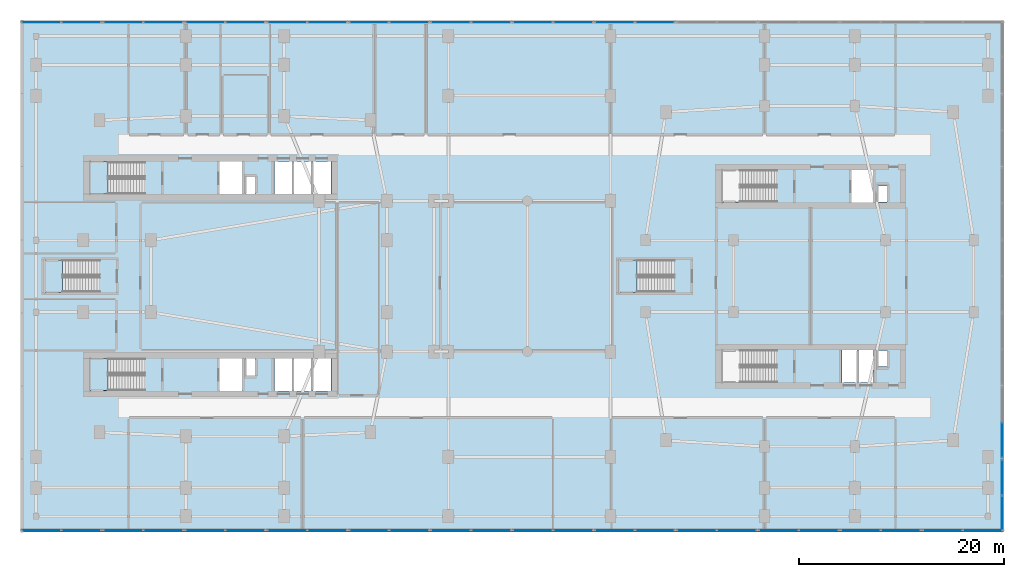
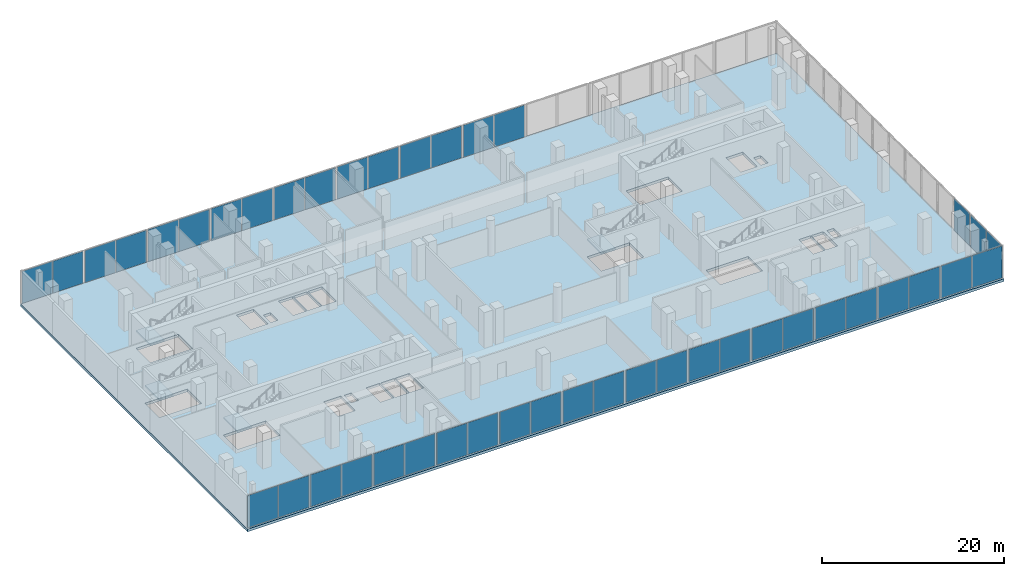
# One storey, part 11 of 23: 43 plates, 5 slabs, 26 elements without a shape of their own.
"""IFC4 building model written with IfcOpenShell, lengths in metres."""

from ifc_helpers import new_model, si_unit, derived_unit, direction, frame, origin, origin_2d, place, context, subcontext, project, spatial, polyline, rectangle, outline, extrude, material, layer, layer_set, type_object, element, aggregate, save


model = new_model("IFC4")

# Units and contexts
model_context = context("Model", 3, precision=1e-05, world=origin(), true_north=direction((0.0, 1.0)))
body_context = subcontext(model_context, "Body", "Model", "MODEL_VIEW")
ifc_project = project(units=[si_unit("LENGTHUNIT", "METRE"), si_unit("AREAUNIT", "SQUARE_METRE"), si_unit("VOLUMEUNIT", "CUBIC_METRE"), si_unit("PLANEANGLEUNIT", "RADIAN"), si_unit("MASSUNIT", "GRAM", prefix="KILO"), derived_unit("THERMALTRANSMITTANCEUNIT", [(si_unit("POWERUNIT", "WATT"), 1), (si_unit("LENGTHUNIT", "METRE"), -2), (si_unit("THERMODYNAMICTEMPERATUREUNIT", "KELVIN"), -1)])], contexts=[model_context])

# Site, building, storey
site_placement = place(None, origin())
site = spatial("IfcSite", under=ifc_project, at=site_placement, CompositionType="ELEMENT")
building_placement = place(site_placement, origin())
building = spatial("IfcBuilding", under=site, at=building_placement, Name="Kivonza Crest Hotel", CompositionType="ELEMENT")
storey_placement = place(building_placement, frame((0.0, 0.0, 5.39990234375)))
storey = spatial("IfcBuildingStorey", under=building, at=storey_placement, Name="L01", CompositionType="ELEMENT", Elevation=5.39990234375)

# Curtain wall, plates
ifc_material_1 = material(Name="Anodised bronze aluminium and low-E double glazing", Category="aluminium")
ifc_layer_1 = layer(ifc_material_1, 0.219970703125)
ifc_layer_set_1 = layer_set([ifc_layer_1], Name="Anodised bronze aluminium and low-E double glazing")
curtain_wall_type = type_object("IfcCurtainWallType", Name="CW-SYS-1", PredefinedType="NOTDEFINED", material=ifc_layer_set_1)
curtain_wall_1_placement = place(storey_placement, origin())
curtain_wall_1 = element("IfcCurtainWall", 1, at=curtain_wall_1_placement, inside=storey, type_object=curtain_wall_type, Name="L01 unitised curtain wall CW-POD-L01-01", PredefinedType="NOTDEFINED")
ifc_material_2 = material(Name="Acoustic triple-laminated low-E glazing", Category="glass")
ifc_layer_2 = layer(ifc_material_2, 0.035888671875)
ifc_layer_set_2 = layer_set([ifc_layer_2], Name="Acoustic triple-laminated low-E glazing")
plate_type = type_object("IfcPlateType", Name="CW-PNL-36", PredefinedType="CURTAIN_PANEL", material=ifc_layer_set_2)
plate_1_placement = place(storey_placement, frame((2.115478515625, 0.239990234375, 0.0751953125), z_axis=(0.0, 0.0, 1.0), x_axis=(1.0, 0.0, 0.0)))
plate_1 = element("IfcPlate", 2, at=plate_1_placement, type_object=plate_type, Name="CW-1 panel 1.1", PredefinedType="CURTAIN_PANEL", context=body_context, shape_type="SweptSolid", body=[
    extrude(rectangle(XDim=3.841064453125, YDim=0.035888671875, at=origin_2d()), origin(), (0.0, 0.0, 1.0), 4.300048828125),
])
plate_2_placement = place(storey_placement, frame((6.031494140625, 0.239990234375, 0.0751953125), z_axis=(0.0, 0.0, 1.0), x_axis=(1.0, 0.0, 0.0)))
plate_2 = element("IfcPlate", 3, at=plate_2_placement, type_object=plate_type, Name="CW-1 panel 2.1", PredefinedType="CURTAIN_PANEL", context=body_context, shape_type="SweptSolid", body=[
    extrude(rectangle(XDim=3.841064453125, YDim=0.035888671875, at=origin_2d()), origin(), (0.0, 0.0, 1.0), 4.300048828125),
])
aggregate(curtain_wall_1, [plate_1, plate_2])

curtain_wall_2_placement = place(storey_placement, origin())
curtain_wall_2 = element("IfcCurtainWall", 4, at=curtain_wall_2_placement, inside=storey, type_object=curtain_wall_type, Name="L01 unitised curtain wall CW-POD-L01-02", PredefinedType="NOTDEFINED")
plate_3_placement = place(storey_placement, frame((10.102294921875, 0.239990234375, 0.0751953125), z_axis=(0.0, 0.0, 1.0), x_axis=(1.0, 0.0, 0.0)))
plate_3 = element("IfcPlate", 5, at=plate_3_placement, type_object=plate_type, Name="CW-1 panel 1.1", PredefinedType="CURTAIN_PANEL", context=body_context, shape_type="SweptSolid", body=[
    extrude(rectangle(XDim=3.840576171875, YDim=0.035888671875, at=origin_2d()), origin(), (0.0, 0.0, 1.0), 4.300048828125),
])
plate_4_placement = place(storey_placement, frame((14.017822265625, 0.239990234375, 0.0751953125), z_axis=(0.0, 0.0, 1.0), x_axis=(1.0, 0.0, 0.0)))
plate_4 = element("IfcPlate", 6, at=plate_4_placement, type_object=plate_type, Name="CW-1 panel 2.1", PredefinedType="CURTAIN_PANEL", context=body_context, shape_type="SweptSolid", body=[
    extrude(rectangle(XDim=3.840576171875, YDim=0.035888671875, at=origin_2d()), origin(), (0.0, 0.0, 1.0), 4.300048828125),
])
aggregate(curtain_wall_2, [plate_3, plate_4])

curtain_wall_3_placement = place(storey_placement, origin())
curtain_wall_3 = element("IfcCurtainWall", 7, at=curtain_wall_3_placement, inside=storey, type_object=curtain_wall_type, Name="L01 unitised curtain wall CW-POD-L01-03", PredefinedType="NOTDEFINED")
plate_5_placement = place(storey_placement, frame((18.08837890625, 0.239990234375, 0.0751953125), z_axis=(0.0, 0.0, 1.0), x_axis=(1.0, 0.0, 0.0)))
plate_5 = element("IfcPlate", 8, at=plate_5_placement, type_object=plate_type, Name="CW-1 panel 1.1", PredefinedType="CURTAIN_PANEL", context=body_context, shape_type="SweptSolid", body=[
    extrude(rectangle(XDim=3.841064453125, YDim=0.035888671875, at=origin_2d()), origin(), (0.0, 0.0, 1.0), 4.300048828125),
])
plate_6_placement = place(storey_placement, frame((22.00439453125, 0.239990234375, 0.0751953125), z_axis=(0.0, 0.0, 1.0), x_axis=(1.0, 0.0, 0.0)))
plate_6 = element("IfcPlate", 9, at=plate_6_placement, type_object=plate_type, Name="CW-1 panel 2.1", PredefinedType="CURTAIN_PANEL", context=body_context, shape_type="SweptSolid", body=[
    extrude(rectangle(XDim=3.841064453125, YDim=0.035888671875, at=origin_2d()), origin(), (0.0, 0.0, 1.0), 4.300048828125),
])
aggregate(curtain_wall_3, [plate_5, plate_6])

curtain_wall_4_placement = place(storey_placement, origin())
curtain_wall_4 = element("IfcCurtainWall", 10, at=curtain_wall_4_placement, inside=storey, type_object=curtain_wall_type, Name="L01 unitised curtain wall CW-POD-L01-04", PredefinedType="NOTDEFINED")
plate_7_placement = place(storey_placement, frame((26.075439453125, 0.239990234375, 0.0751953125), z_axis=(0.0, 0.0, 1.0), x_axis=(1.0, 0.0, 0.0)))
plate_7 = element("IfcPlate", 11, at=plate_7_placement, type_object=plate_type, Name="CW-1 panel 1.1", PredefinedType="CURTAIN_PANEL", context=body_context, shape_type="SweptSolid", body=[
    extrude(rectangle(XDim=3.841064453125, YDim=0.035888671875, at=origin_2d()), origin(), (0.0, 0.0, 1.0), 4.300048828125),
])
plate_8_placement = place(storey_placement, frame((29.991455078125, 0.239990234375, 0.0751953125), z_axis=(0.0, 0.0, 1.0), x_axis=(1.0, 0.0, 0.0)))
plate_8 = element("IfcPlate", 12, at=plate_8_placement, type_object=plate_type, Name="CW-1 panel 2.1", PredefinedType="CURTAIN_PANEL", context=body_context, shape_type="SweptSolid", body=[
    extrude(rectangle(XDim=3.841064453125, YDim=0.035888671875, at=origin_2d()), origin(), (0.0, 0.0, 1.0), 4.300048828125),
])
aggregate(curtain_wall_4, [plate_7, plate_8])

curtain_wall_5_placement = place(storey_placement, origin())
curtain_wall_5 = element("IfcCurtainWall", 13, at=curtain_wall_5_placement, inside=storey, type_object=curtain_wall_type, Name="L01 unitised curtain wall CW-POD-L01-05", PredefinedType="NOTDEFINED")
plate_9_placement = place(storey_placement, frame((34.062255859375, 0.239990234375, 0.0751953125), z_axis=(0.0, 0.0, 1.0), x_axis=(1.0, 0.0, 0.0)))
plate_9 = element("IfcPlate", 14, at=plate_9_placement, type_object=plate_type, Name="CW-1 panel 1.1", PredefinedType="CURTAIN_PANEL", context=body_context, shape_type="SweptSolid", body=[
    extrude(rectangle(XDim=3.840576171875, YDim=0.035888671875, at=origin_2d()), origin(), (0.0, 0.0, 1.0), 4.300048828125),
])
plate_10_placement = place(storey_placement, frame((37.977783203125, 0.239990234375, 0.0751953125), z_axis=(0.0, 0.0, 1.0), x_axis=(1.0, 0.0, 0.0)))
plate_10 = element("IfcPlate", 15, at=plate_10_placement, type_object=plate_type, Name="CW-1 panel 2.1", PredefinedType="CURTAIN_PANEL", context=body_context, shape_type="SweptSolid", body=[
    extrude(rectangle(XDim=3.840576171875, YDim=0.035888671875, at=origin_2d()), origin(), (0.0, 0.0, 1.0), 4.300048828125),
])
aggregate(curtain_wall_5, [plate_9, plate_10])

curtain_wall_6_placement = place(storey_placement, origin())
curtain_wall_6 = element("IfcCurtainWall", 16, at=curtain_wall_6_placement, inside=storey, type_object=curtain_wall_type, Name="L01 unitised curtain wall CW-POD-L01-06", PredefinedType="NOTDEFINED")
plate_11_placement = place(storey_placement, frame((42.048583984375, 0.239990234375, 0.0751953125), z_axis=(0.0, 0.0, 1.0), x_axis=(1.0, 0.0, 0.0)))
plate_11 = element("IfcPlate", 17, at=plate_11_placement, type_object=plate_type, Name="CW-1 panel 1.1", PredefinedType="CURTAIN_PANEL", context=body_context, shape_type="SweptSolid", body=[
    extrude(rectangle(XDim=3.841064453125, YDim=0.035888671875, at=origin_2d()), origin(), (0.0, 0.0, 1.0), 4.300048828125),
])
plate_12_placement = place(storey_placement, frame((45.964599609375, 0.239990234375, 0.0751953125), z_axis=(0.0, 0.0, 1.0), x_axis=(1.0, 0.0, 0.0)))
plate_12 = element("IfcPlate", 18, at=plate_12_placement, type_object=plate_type, Name="CW-1 panel 2.1", PredefinedType="CURTAIN_PANEL", context=body_context, shape_type="SweptSolid", body=[
    extrude(rectangle(XDim=3.841064453125, YDim=0.035888671875, at=origin_2d()), origin(), (0.0, 0.0, 1.0), 4.300048828125),
])
aggregate(curtain_wall_6, [plate_11, plate_12])

curtain_wall_7_placement = place(storey_placement, origin())
curtain_wall_7 = element("IfcCurtainWall", 19, at=curtain_wall_7_placement, inside=storey, type_object=curtain_wall_type, Name="L01 unitised curtain wall CW-POD-L01-07", PredefinedType="NOTDEFINED")
plate_13_placement = place(storey_placement, frame((50.035400390625, 0.239990234375, 0.0751953125), z_axis=(0.0, 0.0, 1.0), x_axis=(1.0, 0.0, 0.0)))
plate_13 = element("IfcPlate", 20, at=plate_13_placement, type_object=plate_type, Name="CW-1 panel 1.1", PredefinedType="CURTAIN_PANEL", context=body_context, shape_type="SweptSolid", body=[
    extrude(rectangle(XDim=3.841064453125, YDim=0.035888671875, at=origin_2d()), origin(), (0.0, 0.0, 1.0), 4.300048828125),
])
plate_14_placement = place(storey_placement, frame((53.951416015625, 0.239990234375, 0.0751953125), z_axis=(0.0, 0.0, 1.0), x_axis=(1.0, 0.0, 0.0)))
plate_14 = element("IfcPlate", 21, at=plate_14_placement, type_object=plate_type, Name="CW-1 panel 2.1", PredefinedType="CURTAIN_PANEL", context=body_context, shape_type="SweptSolid", body=[
    extrude(rectangle(XDim=3.841064453125, YDim=0.035888671875, at=origin_2d()), origin(), (0.0, 0.0, 1.0), 4.300048828125),
])
aggregate(curtain_wall_7, [plate_13, plate_14])

curtain_wall_8_placement = place(storey_placement, origin())
curtain_wall_8 = element("IfcCurtainWall", 22, at=curtain_wall_8_placement, inside=storey, type_object=curtain_wall_type, Name="L01 unitised curtain wall CW-POD-L01-08", PredefinedType="NOTDEFINED")
plate_15_placement = place(storey_placement, frame((58.022216796875, 0.239990234375, 0.0751953125), z_axis=(0.0, 0.0, 1.0), x_axis=(1.0, 0.0, 0.0)))
plate_15 = element("IfcPlate", 23, at=plate_15_placement, type_object=plate_type, Name="CW-1 panel 1.1", PredefinedType="CURTAIN_PANEL", context=body_context, shape_type="SweptSolid", body=[
    extrude(rectangle(XDim=3.840576171875, YDim=0.035888671875, at=origin_2d()), origin(), (0.0, 0.0, 1.0), 4.300048828125),
])
plate_16_placement = place(storey_placement, frame((61.937744140625, 0.239990234375, 0.0751953125), z_axis=(0.0, 0.0, 1.0), x_axis=(1.0, 0.0, 0.0)))
plate_16 = element("IfcPlate", 24, at=plate_16_placement, type_object=plate_type, Name="CW-1 panel 2.1", PredefinedType="CURTAIN_PANEL", context=body_context, shape_type="SweptSolid", body=[
    extrude(rectangle(XDim=3.840576171875, YDim=0.035888671875, at=origin_2d()), origin(), (0.0, 0.0, 1.0), 4.300048828125),
])
aggregate(curtain_wall_8, [plate_15, plate_16])

curtain_wall_9_placement = place(storey_placement, origin())
curtain_wall_9 = element("IfcCurtainWall", 25, at=curtain_wall_9_placement, inside=storey, type_object=curtain_wall_type, Name="L01 unitised curtain wall CW-POD-L01-09", PredefinedType="NOTDEFINED")
plate_17_placement = place(storey_placement, frame((66.008544921875, 0.239990234375, 0.0751953125), z_axis=(0.0, 0.0, 1.0), x_axis=(1.0, 0.0, 0.0)))
plate_17 = element("IfcPlate", 26, at=plate_17_placement, type_object=plate_type, Name="CW-1 panel 1.1", PredefinedType="CURTAIN_PANEL", context=body_context, shape_type="SweptSolid", body=[
    extrude(rectangle(XDim=3.841064453125, YDim=0.035888671875, at=origin_2d()), origin(), (0.0, 0.0, 1.0), 4.300048828125),
])
plate_18_placement = place(storey_placement, frame((69.924560546875, 0.239990234375, 0.0751953125), z_axis=(0.0, 0.0, 1.0), x_axis=(1.0, 0.0, 0.0)))
plate_18 = element("IfcPlate", 27, at=plate_18_placement, type_object=plate_type, Name="CW-1 panel 2.1", PredefinedType="CURTAIN_PANEL", context=body_context, shape_type="SweptSolid", body=[
    extrude(rectangle(XDim=3.841064453125, YDim=0.035888671875, at=origin_2d()), origin(), (0.0, 0.0, 1.0), 4.300048828125),
])
aggregate(curtain_wall_9, [plate_17, plate_18])

curtain_wall_10_placement = place(storey_placement, origin())
curtain_wall_10 = element("IfcCurtainWall", 28, at=curtain_wall_10_placement, inside=storey, type_object=curtain_wall_type, Name="L01 unitised curtain wall CW-POD-L01-10", PredefinedType="NOTDEFINED")
plate_19_placement = place(storey_placement, frame((73.99560546875, 0.239990234375, 0.0751953125), z_axis=(0.0, 0.0, 1.0), x_axis=(1.0, 0.0, 0.0)))
plate_19 = element("IfcPlate", 29, at=plate_19_placement, type_object=plate_type, Name="CW-1 panel 1.1", PredefinedType="CURTAIN_PANEL", context=body_context, shape_type="SweptSolid", body=[
    extrude(rectangle(XDim=3.841064453125, YDim=0.035888671875, at=origin_2d()), origin(), (0.0, 0.0, 1.0), 4.300048828125),
])
plate_20_placement = place(storey_placement, frame((77.91162109375, 0.239990234375, 0.0751953125), z_axis=(0.0, 0.0, 1.0), x_axis=(1.0, 0.0, 0.0)))
plate_20 = element("IfcPlate", 30, at=plate_20_placement, type_object=plate_type, Name="CW-1 panel 2.1", PredefinedType="CURTAIN_PANEL", context=body_context, shape_type="SweptSolid", body=[
    extrude(rectangle(XDim=3.841064453125, YDim=0.035888671875, at=origin_2d()), origin(), (0.0, 0.0, 1.0), 4.300048828125),
])
aggregate(curtain_wall_10, [plate_19, plate_20])

curtain_wall_11_placement = place(storey_placement, origin())
curtain_wall_11 = element("IfcCurtainWall", 31, at=curtain_wall_11_placement, inside=storey, type_object=curtain_wall_type, Name="L01 unitised curtain wall CW-POD-L01-11", PredefinedType="NOTDEFINED")
plate_21_placement = place(storey_placement, frame((81.982177734375, 0.239990234375, 0.0751953125), z_axis=(0.0, 0.0, 1.0), x_axis=(1.0, 0.0, 0.0)))
plate_21 = element("IfcPlate", 32, at=plate_21_placement, type_object=plate_type, Name="CW-1 panel 1.1", PredefinedType="CURTAIN_PANEL", context=body_context, shape_type="SweptSolid", body=[
    extrude(rectangle(XDim=3.840576171875, YDim=0.035888671875, at=origin_2d()), origin(), (0.0, 0.0, 1.0), 4.300048828125),
])
plate_22_placement = place(storey_placement, frame((85.897705078125, 0.239990234375, 0.0751953125), z_axis=(0.0, 0.0, 1.0), x_axis=(1.0, 0.0, 0.0)))
plate_22 = element("IfcPlate", 33, at=plate_22_placement, type_object=plate_type, Name="CW-1 panel 2.1", PredefinedType="CURTAIN_PANEL", context=body_context, shape_type="SweptSolid", body=[
    extrude(rectangle(XDim=3.840576171875, YDim=0.035888671875, at=origin_2d()), origin(), (0.0, 0.0, 1.0), 4.300048828125),
])
aggregate(curtain_wall_11, [plate_21, plate_22])

curtain_wall_12_placement = place(storey_placement, origin())
curtain_wall_12 = element("IfcCurtainWall", 34, at=curtain_wall_12_placement, inside=storey, type_object=curtain_wall_type, Name="L01 unitised curtain wall CW-POD-L01-12", PredefinedType="NOTDEFINED")
plate_23_placement = place(storey_placement, frame((89.968505859375, 0.239990234375, 0.0751953125), z_axis=(0.0, 0.0, 1.0), x_axis=(1.0, 0.0, 0.0)))
plate_23 = element("IfcPlate", 35, at=plate_23_placement, type_object=plate_type, Name="CW-1 panel 1.1", PredefinedType="CURTAIN_PANEL", context=body_context, shape_type="SweptSolid", body=[
    extrude(rectangle(XDim=3.841064453125, YDim=0.035888671875, at=origin_2d()), origin(), (0.0, 0.0, 1.0), 4.300048828125),
])
plate_24_placement = place(storey_placement, frame((93.884521484375, 0.239990234375, 0.0751953125), z_axis=(0.0, 0.0, 1.0), x_axis=(1.0, 0.0, 0.0)))
plate_24 = element("IfcPlate", 36, at=plate_24_placement, type_object=plate_type, Name="CW-1 panel 2.1", PredefinedType="CURTAIN_PANEL", context=body_context, shape_type="SweptSolid", body=[
    extrude(rectangle(XDim=3.841064453125, YDim=0.035888671875, at=origin_2d()), origin(), (0.0, 0.0, 1.0), 4.300048828125),
])
aggregate(curtain_wall_12, [plate_23, plate_24])

curtain_wall_13_placement = place(storey_placement, origin())
curtain_wall_13 = element("IfcCurtainWall", 37, at=curtain_wall_13_placement, inside=storey, type_object=curtain_wall_type, Name="L01 unitised curtain wall CW-POD-L01-13", PredefinedType="NOTDEFINED")
plate_25_placement = place(storey_placement, frame((95.760009765625, 1.898681640625, 0.0751953125), z_axis=(0.0, 0.0, 1.0), x_axis=(0.0, 1.0, 0.0)))
plate_25 = element("IfcPlate", 38, at=plate_25_placement, type_object=plate_type, Name="CW-1 panel 1.1", PredefinedType="CURTAIN_PANEL", context=body_context, shape_type="SweptSolid", body=[
    extrude(rectangle(XDim=3.407470703125, YDim=0.035888671875, at=origin_2d()), origin(), (0.0, 0.0, 1.0), 4.300048828125),
])
plate_26_placement = place(storey_placement, frame((95.760009765625, 5.38134765625, 0.0751953125), z_axis=(0.0, 0.0, 1.0), x_axis=(0.0, 1.0, 0.0)))
plate_26 = element("IfcPlate", 39, at=plate_26_placement, type_object=plate_type, Name="CW-1 panel 2.1", PredefinedType="CURTAIN_PANEL", context=body_context, shape_type="SweptSolid", body=[
    extrude(rectangle(XDim=3.407470703125, YDim=0.035888671875, at=origin_2d()), origin(), (0.0, 0.0, 1.0), 4.300048828125),
])
aggregate(curtain_wall_13, [plate_25, plate_26])

# Curtain wall, plate
curtain_wall_14_placement = place(storey_placement, origin())
curtain_wall_14 = element("IfcCurtainWall", 40, at=curtain_wall_14_placement, inside=storey, type_object=curtain_wall_type, Name="L01 unitised curtain wall CW-POD-L01-14", PredefinedType="NOTDEFINED")
plate_27_placement = place(storey_placement, frame((95.760009765625, 9.018798828125, 0.0751953125), z_axis=(0.0, 0.0, 1.0), x_axis=(0.0, 1.0, 0.0)))
plate_27 = element("IfcPlate", 41, at=plate_27_placement, type_object=plate_type, Name="CW-1 panel 1.1", PredefinedType="CURTAIN_PANEL", context=body_context, shape_type="SweptSolid", body=[
    extrude(rectangle(XDim=3.407470703125, YDim=0.035888671875, at=origin_2d()), origin(), (0.0, 0.0, 1.0), 4.300048828125),
])
aggregate(curtain_wall_14, [plate_27])

# Curtain wall, plates
curtain_wall_15_placement = place(storey_placement, origin())
curtain_wall_15 = element("IfcCurtainWall", 42, at=curtain_wall_15_placement, inside=storey, type_object=curtain_wall_type, Name="L01 unitised curtain wall CW-POD-L01-24", PredefinedType="NOTDEFINED")
plate_28_placement = place(storey_placement, frame((61.937744140625, 49.760009765625, 0.0751953125), z_axis=(0.0, 0.0, 1.0), x_axis=(-1.0, 0.0, 0.0)))
plate_28 = element("IfcPlate", 43, at=plate_28_placement, type_object=plate_type, Name="CW-1 panel 1.1", PredefinedType="CURTAIN_PANEL", context=body_context, shape_type="SweptSolid", body=[
    extrude(rectangle(XDim=3.840576171875, YDim=0.035888671875, at=origin_2d()), origin(), (0.0, 0.0, 1.0), 4.300048828125),
])
plate_29_placement = place(storey_placement, frame((58.022216796875, 49.760009765625, 0.0751953125), z_axis=(0.0, 0.0, 1.0), x_axis=(-1.0, 0.0, 0.0)))
plate_29 = element("IfcPlate", 44, at=plate_29_placement, type_object=plate_type, Name="CW-1 panel 2.1", PredefinedType="CURTAIN_PANEL", context=body_context, shape_type="SweptSolid", body=[
    extrude(rectangle(XDim=3.840576171875, YDim=0.035888671875, at=origin_2d()), origin(), (0.0, 0.0, 1.0), 4.300048828125),
])
aggregate(curtain_wall_15, [plate_28, plate_29])

curtain_wall_16_placement = place(storey_placement, origin())
curtain_wall_16 = element("IfcCurtainWall", 45, at=curtain_wall_16_placement, inside=storey, type_object=curtain_wall_type, Name="L01 unitised curtain wall CW-POD-L01-25", PredefinedType="NOTDEFINED")
plate_30_placement = place(storey_placement, frame((53.951416015625, 49.760009765625, 0.0751953125), z_axis=(0.0, 0.0, 1.0), x_axis=(-1.0, 0.0, 0.0)))
plate_30 = element("IfcPlate", 46, at=plate_30_placement, type_object=plate_type, Name="CW-1 panel 1.1", PredefinedType="CURTAIN_PANEL", context=body_context, shape_type="SweptSolid", body=[
    extrude(rectangle(XDim=3.841064453125, YDim=0.035888671875, at=origin_2d()), origin(), (0.0, 0.0, 1.0), 4.300048828125),
])
plate_31_placement = place(storey_placement, frame((50.035400390625, 49.760009765625, 0.0751953125), z_axis=(0.0, 0.0, 1.0), x_axis=(-1.0, 0.0, 0.0)))
plate_31 = element("IfcPlate", 47, at=plate_31_placement, type_object=plate_type, Name="CW-1 panel 2.1", PredefinedType="CURTAIN_PANEL", context=body_context, shape_type="SweptSolid", body=[
    extrude(rectangle(XDim=3.841064453125, YDim=0.035888671875, at=origin_2d()), origin(), (0.0, 0.0, 1.0), 4.300048828125),
])
aggregate(curtain_wall_16, [plate_30, plate_31])

curtain_wall_17_placement = place(storey_placement, origin())
curtain_wall_17 = element("IfcCurtainWall", 48, at=curtain_wall_17_placement, inside=storey, type_object=curtain_wall_type, Name="L01 unitised curtain wall CW-POD-L01-26", PredefinedType="NOTDEFINED")
plate_32_placement = place(storey_placement, frame((45.964599609375, 49.760009765625, 0.0751953125), z_axis=(0.0, 0.0, 1.0), x_axis=(-1.0, 0.0, 0.0)))
plate_32 = element("IfcPlate", 49, at=plate_32_placement, type_object=plate_type, Name="CW-1 panel 1.1", PredefinedType="CURTAIN_PANEL", context=body_context, shape_type="SweptSolid", body=[
    extrude(rectangle(XDim=3.841064453125, YDim=0.035888671875, at=origin_2d()), origin(), (0.0, 0.0, 1.0), 4.300048828125),
])
plate_33_placement = place(storey_placement, frame((42.048583984375, 49.760009765625, 0.0751953125), z_axis=(0.0, 0.0, 1.0), x_axis=(-1.0, 0.0, 0.0)))
plate_33 = element("IfcPlate", 50, at=plate_33_placement, type_object=plate_type, Name="CW-1 panel 2.1", PredefinedType="CURTAIN_PANEL", context=body_context, shape_type="SweptSolid", body=[
    extrude(rectangle(XDim=3.841064453125, YDim=0.035888671875, at=origin_2d()), origin(), (0.0, 0.0, 1.0), 4.300048828125),
])
aggregate(curtain_wall_17, [plate_32, plate_33])

curtain_wall_18_placement = place(storey_placement, origin())
curtain_wall_18 = element("IfcCurtainWall", 51, at=curtain_wall_18_placement, inside=storey, type_object=curtain_wall_type, Name="L01 unitised curtain wall CW-POD-L01-27", PredefinedType="NOTDEFINED")
plate_34_placement = place(storey_placement, frame((37.977783203125, 49.760009765625, 0.0751953125), z_axis=(0.0, 0.0, 1.0), x_axis=(-1.0, 0.0, 0.0)))
plate_34 = element("IfcPlate", 52, at=plate_34_placement, type_object=plate_type, Name="CW-1 panel 1.1", PredefinedType="CURTAIN_PANEL", context=body_context, shape_type="SweptSolid", body=[
    extrude(rectangle(XDim=3.840576171875, YDim=0.035888671875, at=origin_2d()), origin(), (0.0, 0.0, 1.0), 4.300048828125),
])
plate_35_placement = place(storey_placement, frame((34.062255859375, 49.760009765625, 0.0751953125), z_axis=(0.0, 0.0, 1.0), x_axis=(-1.0, 0.0, 0.0)))
plate_35 = element("IfcPlate", 53, at=plate_35_placement, type_object=plate_type, Name="CW-1 panel 2.1", PredefinedType="CURTAIN_PANEL", context=body_context, shape_type="SweptSolid", body=[
    extrude(rectangle(XDim=3.840576171875, YDim=0.035888671875, at=origin_2d()), origin(), (0.0, 0.0, 1.0), 4.300048828125),
])
aggregate(curtain_wall_18, [plate_34, plate_35])

curtain_wall_19_placement = place(storey_placement, origin())
curtain_wall_19 = element("IfcCurtainWall", 54, at=curtain_wall_19_placement, inside=storey, type_object=curtain_wall_type, Name="L01 unitised curtain wall CW-POD-L01-28", PredefinedType="NOTDEFINED")
plate_36_placement = place(storey_placement, frame((29.991455078125, 49.760009765625, 0.0751953125), z_axis=(0.0, 0.0, 1.0), x_axis=(-1.0, 0.0, 0.0)))
plate_36 = element("IfcPlate", 55, at=plate_36_placement, type_object=plate_type, Name="CW-1 panel 1.1", PredefinedType="CURTAIN_PANEL", context=body_context, shape_type="SweptSolid", body=[
    extrude(rectangle(XDim=3.841064453125, YDim=0.035888671875, at=origin_2d()), origin(), (0.0, 0.0, 1.0), 4.300048828125),
])
plate_37_placement = place(storey_placement, frame((26.075439453125, 49.760009765625, 0.0751953125), z_axis=(0.0, 0.0, 1.0), x_axis=(-1.0, 0.0, 0.0)))
plate_37 = element("IfcPlate", 56, at=plate_37_placement, type_object=plate_type, Name="CW-1 panel 2.1", PredefinedType="CURTAIN_PANEL", context=body_context, shape_type="SweptSolid", body=[
    extrude(rectangle(XDim=3.841064453125, YDim=0.035888671875, at=origin_2d()), origin(), (0.0, 0.0, 1.0), 4.300048828125),
])
aggregate(curtain_wall_19, [plate_36, plate_37])

curtain_wall_20_placement = place(storey_placement, origin())
curtain_wall_20 = element("IfcCurtainWall", 57, at=curtain_wall_20_placement, inside=storey, type_object=curtain_wall_type, Name="L01 unitised curtain wall CW-POD-L01-29", PredefinedType="NOTDEFINED")
plate_38_placement = place(storey_placement, frame((22.00439453125, 49.760009765625, 0.0751953125), z_axis=(0.0, 0.0, 1.0), x_axis=(-1.0, 0.0, 0.0)))
plate_38 = element("IfcPlate", 58, at=plate_38_placement, type_object=plate_type, Name="CW-1 panel 1.1", PredefinedType="CURTAIN_PANEL", context=body_context, shape_type="SweptSolid", body=[
    extrude(rectangle(XDim=3.841064453125, YDim=0.035888671875, at=origin_2d()), origin(), (0.0, 0.0, 1.0), 4.300048828125),
])
plate_39_placement = place(storey_placement, frame((18.08837890625, 49.760009765625, 0.0751953125), z_axis=(0.0, 0.0, 1.0), x_axis=(-1.0, 0.0, 0.0)))
plate_39 = element("IfcPlate", 59, at=plate_39_placement, type_object=plate_type, Name="CW-1 panel 2.1", PredefinedType="CURTAIN_PANEL", context=body_context, shape_type="SweptSolid", body=[
    extrude(rectangle(XDim=3.841064453125, YDim=0.035888671875, at=origin_2d()), origin(), (0.0, 0.0, 1.0), 4.300048828125),
])
aggregate(curtain_wall_20, [plate_38, plate_39])

curtain_wall_21_placement = place(storey_placement, origin())
curtain_wall_21 = element("IfcCurtainWall", 60, at=curtain_wall_21_placement, inside=storey, type_object=curtain_wall_type, Name="L01 unitised curtain wall CW-POD-L01-30", PredefinedType="NOTDEFINED")
plate_40_placement = place(storey_placement, frame((14.017822265625, 49.760009765625, 0.0751953125), z_axis=(0.0, 0.0, 1.0), x_axis=(-1.0, 0.0, 0.0)))
plate_40 = element("IfcPlate", 61, at=plate_40_placement, type_object=plate_type, Name="CW-1 panel 1.1", PredefinedType="CURTAIN_PANEL", context=body_context, shape_type="SweptSolid", body=[
    extrude(rectangle(XDim=3.840576171875, YDim=0.035888671875, at=origin_2d()), origin(), (0.0, 0.0, 1.0), 4.300048828125),
])
plate_41_placement = place(storey_placement, frame((10.102294921875, 49.760009765625, 0.0751953125), z_axis=(0.0, 0.0, 1.0), x_axis=(-1.0, 0.0, 0.0)))
plate_41 = element("IfcPlate", 62, at=plate_41_placement, type_object=plate_type, Name="CW-1 panel 2.1", PredefinedType="CURTAIN_PANEL", context=body_context, shape_type="SweptSolid", body=[
    extrude(rectangle(XDim=3.840576171875, YDim=0.035888671875, at=origin_2d()), origin(), (0.0, 0.0, 1.0), 4.300048828125),
])
aggregate(curtain_wall_21, [plate_40, plate_41])

curtain_wall_22_placement = place(storey_placement, origin())
curtain_wall_22 = element("IfcCurtainWall", 63, at=curtain_wall_22_placement, inside=storey, type_object=curtain_wall_type, Name="L01 unitised curtain wall CW-POD-L01-31", PredefinedType="NOTDEFINED")
plate_42_placement = place(storey_placement, frame((6.031494140625, 49.760009765625, 0.0751953125), z_axis=(0.0, 0.0, 1.0), x_axis=(-1.0, 0.0, 0.0)))
plate_42 = element("IfcPlate", 64, at=plate_42_placement, type_object=plate_type, Name="CW-1 panel 1.1", PredefinedType="CURTAIN_PANEL", context=body_context, shape_type="SweptSolid", body=[
    extrude(rectangle(XDim=3.841064453125, YDim=0.035888671875, at=origin_2d()), origin(), (0.0, 0.0, 1.0), 4.300048828125),
])
plate_43_placement = place(storey_placement, frame((2.115478515625, 49.760009765625, 0.0751953125), z_axis=(0.0, 0.0, 1.0), x_axis=(-1.0, 0.0, 0.0)))
plate_43 = element("IfcPlate", 65, at=plate_43_placement, type_object=plate_type, Name="CW-1 panel 2.1", PredefinedType="CURTAIN_PANEL", context=body_context, shape_type="SweptSolid", body=[
    extrude(rectangle(XDim=3.841064453125, YDim=0.035888671875, at=origin_2d()), origin(), (0.0, 0.0, 1.0), 4.300048828125),
])
aggregate(curtain_wall_22, [plate_42, plate_43])

# Stair, slab
ifc_material_3 = material(Name="Concrete C40/50", Category="concrete")
stair_type = type_object("IfcStairType", Name="ST-DL-28R", PredefinedType="HALF_TURN_STAIR", material=ifc_material_3)
stair_1_placement = place(storey_placement, origin())
stair_1 = element("IfcStair", 66, at=stair_1_placement, inside=storey, type_object=stair_type, Name="L01 Protected Exit Stair ST-T1-N", PredefinedType="HALF_TURN_STAIR")
ifc_layer_3 = layer(ifc_material_3, 0.199951171875)
ifc_layer_set_3 = layer_set([ifc_layer_3], Name="Concrete C40/50")
slab_type_1 = type_object("IfcSlabType", Name="SL-LAND-200", PredefinedType="LANDING", material=ifc_layer_set_3)
slab_1_placement = place(storey_placement, frame((0.0, 0.0, 2.2001953125)))
slab_1 = element("IfcSlab", 67, at=slab_1_placement, type_object=slab_type_1, Name="ST-T1-N landing 1", PredefinedType="LANDING", context=body_context, shape_type="SweptSolid", body=[
    extrude(outline(polyline([(8.60009765625, 36.159912109375), (6.800048828125, 36.159912109375), (6.800048828125, 33.02001953125), (8.60009765625, 33.02001953125), (8.60009765625, 36.159912109375)])), origin(), (0.0, 0.0, 1.0), 0.199951171875),
])
aggregate(stair_1, [slab_1])

stair_2_placement = place(storey_placement, origin())
stair_2 = element("IfcStair", 68, at=stair_2_placement, inside=storey, type_object=stair_type, Name="L01 Protected Exit Stair ST-T1-S", PredefinedType="HALF_TURN_STAIR")
slab_2_placement = place(storey_placement, frame((0.0, 0.0, 2.2001953125)))
slab_2 = element("IfcSlab", 69, at=slab_2_placement, type_object=slab_type_1, Name="ST-T1-S landing 1", PredefinedType="LANDING", context=body_context, shape_type="SweptSolid", body=[
    extrude(outline(polyline([(8.60009765625, 17.0), (6.800048828125, 17.0), (6.800048828125, 13.860107421875), (8.60009765625, 13.860107421875), (8.60009765625, 17.0)])), origin(), (0.0, 0.0, 1.0), 0.199951171875),
])
aggregate(stair_2, [slab_2])

stair_3_placement = place(storey_placement, origin())
stair_3 = element("IfcStair", 70, at=stair_3_placement, inside=storey, type_object=stair_type, Name="L01 Podium Escape Stair ST-POD-W", PredefinedType="HALF_TURN_STAIR")
slab_3_placement = place(storey_placement, frame((0.0, 0.0, 2.2001953125)))
slab_3 = element("IfcSlab", 71, at=slab_3_placement, type_object=slab_type_1, Name="ST-POD-W landing 1", PredefinedType="LANDING", context=body_context, shape_type="SweptSolid", body=[
    extrude(outline(polyline([(4.199951171875, 26.580078125), (2.39990234375, 26.580078125), (2.39990234375, 23.43994140625), (4.199951171875, 23.43994140625), (4.199951171875, 26.580078125)])), origin(), (0.0, 0.0, 1.0), 0.199951171875),
])
aggregate(stair_3, [slab_3])

stair_4_placement = place(storey_placement, origin())
stair_4 = element("IfcStair", 72, at=stair_4_placement, inside=storey, type_object=stair_type, Name="L01 Podium Escape Stair ST-POD-E", PredefinedType="HALF_TURN_STAIR")
slab_4_placement = place(storey_placement, frame((0.0, 0.0, 2.2001953125)))
slab_4 = element("IfcSlab", 73, at=slab_4_placement, type_object=slab_type_1, Name="ST-POD-E landing 1", PredefinedType="LANDING", context=body_context, shape_type="SweptSolid", body=[
    extrude(outline(polyline([(60.199951171875, 26.580078125), (58.39990234375, 26.580078125), (58.39990234375, 23.43994140625), (60.199951171875, 23.43994140625), (60.199951171875, 26.580078125)])), origin(), (0.0, 0.0, 1.0), 0.199951171875),
])
aggregate(stair_4, [slab_4])

# Slab
ifc_layer_4 = layer(ifc_material_3, 0.35009765625)
ifc_layer_set_4 = layer_set([ifc_layer_4], Name="Concrete C40/50")
slab_type_2 = type_object("IfcSlabType", Name="SL-POD-350", PredefinedType="FLOOR", material=ifc_layer_set_4)
slab_5_placement = place(storey_placement, frame((0.0, 0.0, -0.349853515625)))
element("IfcSlab", 74, at=slab_5_placement, inside=storey, type_object=slab_type_2, Name="L01 structural floor plate", PredefinedType="FLOOR", context=body_context, shape_type="SweptSolid", body=[
    extrude(outline(polyline([(0.080078125, 0.080078125), (95.919921875, 0.080078125), (95.919921875, 49.919921875), (0.080078125, 49.919921875), (0.080078125, 0.080078125)]), holes=[polyline([(6.800048828125, 33.02001953125), (12.159912109375, 33.02001953125), (12.159912109375, 36.159912109375), (6.800048828125, 36.159912109375), (6.800048828125, 33.02001953125)]), polyline([(6.800048828125, 13.860107421875), (12.159912109375, 13.860107421875), (12.159912109375, 17.0), (6.800048828125, 17.0), (6.800048828125, 13.860107421875)]), polyline([(68.39990234375, 32.219970703125), (73.760009765625, 32.219970703125), (73.760009765625, 35.360107421875), (68.39990234375, 35.360107421875), (68.39990234375, 32.219970703125)]), polyline([(68.39990234375, 14.659912109375), (73.760009765625, 14.659912109375), (73.760009765625, 17.800048828125), (68.39990234375, 17.800048828125), (68.39990234375, 14.659912109375)]), polyline([(2.39990234375, 23.43994140625), (7.760009765625, 23.43994140625), (7.760009765625, 26.580078125), (2.39990234375, 26.580078125), (2.39990234375, 23.43994140625)]), polyline([(58.39990234375, 23.43994140625), (63.760009765625, 23.43994140625), (63.760009765625, 26.580078125), (58.39990234375, 26.580078125), (58.39990234375, 23.43994140625)]), polyline([(22.080078125, 33.0400390625), (22.969970703125, 33.0400390625), (22.969970703125, 34.679931640625), (22.080078125, 34.679931640625), (22.080078125, 33.0400390625)]), polyline([(22.080078125, 15.320068359375), (22.969970703125, 15.320068359375), (22.969970703125, 16.9599609375), (22.080078125, 16.9599609375), (22.080078125, 15.320068359375)]), polyline([(83.679931640625, 32.239990234375), (84.570068359375, 32.239990234375), (84.570068359375, 33.820068359375), (83.679931640625, 33.820068359375), (83.679931640625, 32.239990234375)]), polyline([(83.679931640625, 16.179931640625), (84.570068359375, 16.179931640625), (84.570068359375, 17.760009765625), (83.679931640625, 17.760009765625), (83.679931640625, 16.179931640625)]), polyline([(19.5, 33.0), (21.699951171875, 33.0), (21.699951171875, 36.159912109375), (19.5, 36.159912109375), (19.5, 33.0)]), polyline([(24.860107421875, 33.0), (26.60693359375, 33.0), (26.60693359375, 36.159912109375), (24.860107421875, 36.159912109375), (24.860107421875, 33.0)]), polyline([(26.72705078125, 33.0), (28.472900390625, 33.0), (28.472900390625, 36.159912109375), (26.72705078125, 36.159912109375), (26.72705078125, 33.0)]), polyline([(28.593017578125, 33.0), (30.340087890625, 33.0), (30.340087890625, 36.159912109375), (28.593017578125, 36.159912109375), (28.593017578125, 33.0)]), polyline([(19.5, 13.840087890625), (21.699951171875, 13.840087890625), (21.699951171875, 17.0), (19.5, 17.0), (19.5, 13.840087890625)]), polyline([(24.860107421875, 13.840087890625), (26.60693359375, 13.840087890625), (26.60693359375, 17.0), (24.860107421875, 17.0), (24.860107421875, 13.840087890625)]), polyline([(26.72705078125, 13.840087890625), (28.472900390625, 13.840087890625), (28.472900390625, 17.0), (26.72705078125, 17.0), (26.72705078125, 13.840087890625)]), polyline([(28.593017578125, 13.840087890625), (30.340087890625, 13.840087890625), (30.340087890625, 17.0), (28.593017578125, 17.0), (28.593017578125, 13.840087890625)]), polyline([(81.10009765625, 32.199951171875), (83.199951171875, 32.199951171875), (83.199951171875, 35.360107421875), (81.10009765625, 35.360107421875), (81.10009765625, 32.199951171875)]), polyline([(80.159912109375, 14.639892578125), (81.639892578125, 14.639892578125), (81.639892578125, 17.800048828125), (80.159912109375, 17.800048828125), (80.159912109375, 14.639892578125)]), polyline([(81.760009765625, 14.639892578125), (83.239990234375, 14.639892578125), (83.239990234375, 17.800048828125), (81.760009765625, 17.800048828125), (81.760009765625, 14.639892578125)])]), origin(), (0.0, 0.0, 1.0), 0.349853515625),
])

save(model, "model.ifc")
